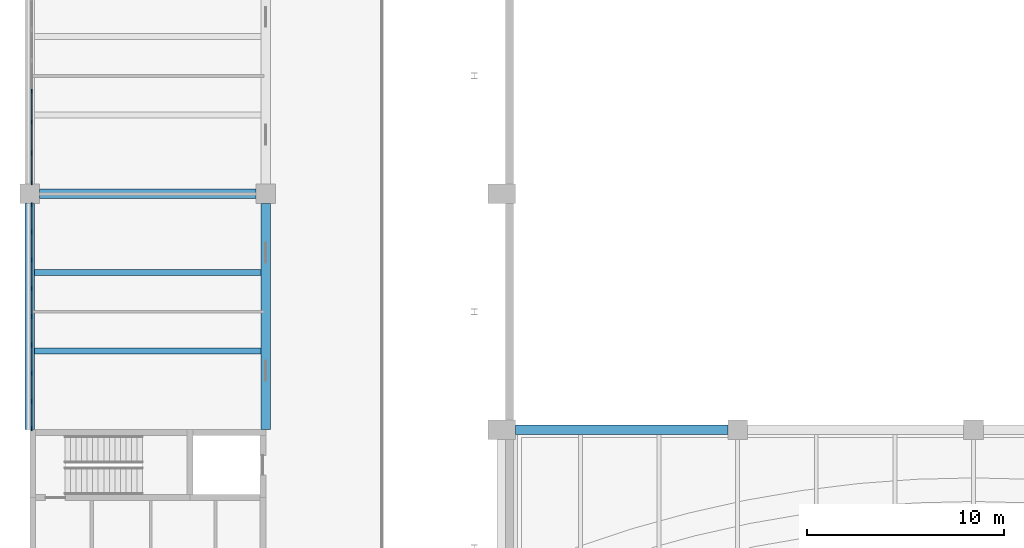
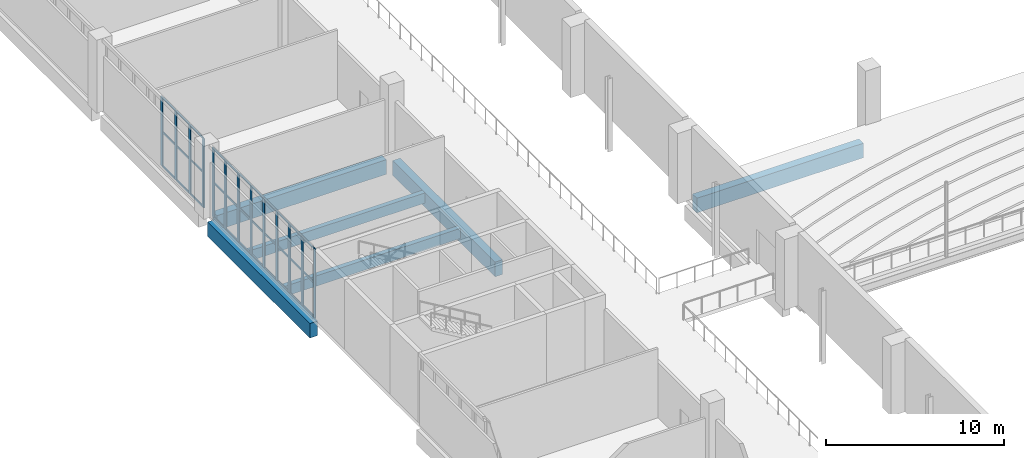
# One storey, part 30 of 69: 46 members, 6 beams, 2 elements without a shape of their own.
"""IFC4 building model written with IfcOpenShell, lengths in metres."""

from ifc_helpers import new_model, si_unit, direction, frame, origin, origin_2d, place, context, subcontext, project, spatial, rectangle, extrude, material, layer, layer_set, material_profile, profile_set, type_object, element, aggregate, save


model = new_model("IFC4")

# Units and contexts
model_context = context("Model", 3, precision=1e-05, world=origin(), true_north=direction((0.0, 1.0)))
body_context = subcontext(model_context, "Body", "Model", "MODEL_VIEW")
ifc_project = project(units=[si_unit("LENGTHUNIT", "METRE"), si_unit("AREAUNIT", "SQUARE_METRE"), si_unit("VOLUMEUNIT", "CUBIC_METRE"), si_unit("PLANEANGLEUNIT", "RADIAN"), si_unit("MASSUNIT", "GRAM", prefix="KILO")], contexts=[model_context])

# Site, building, storey
site_placement = place(None, origin())
site = spatial("IfcSite", under=ifc_project, at=site_placement, CompositionType="ELEMENT")
building_placement = place(site_placement, origin())
building = spatial("IfcBuilding", under=site, at=building_placement, Name="Lilac Gate Convention Centre", CompositionType="ELEMENT")
storey_placement = place(building_placement, frame((0.0, 0.0, 12.0)))
storey = spatial("IfcBuildingStorey", under=building, at=storey_placement, Name="L02", CompositionType="ELEMENT", Elevation=12.0)

# Curtain wall, members
ifc_material_1 = material(Name="Aluminium framed double glazing", Category="aluminium")
ifc_layer = layer(ifc_material_1, 0.199951171875)
ifc_layer_set = layer_set([ifc_layer], Name="Aluminium framed double glazing")
curtain_wall_type = type_object("IfcCurtainWallType", Name="Unitised curtain wall 1500", PredefinedType="NOTDEFINED", material=ifc_layer_set)
curtain_wall_1_placement = place(storey_placement, origin())
curtain_wall_1 = element("IfcCurtainWall", 1, at=curtain_wall_1_placement, inside=storey, type_object=curtain_wall_type, Name="Curtain wall PW L02 3", PredefinedType="NOTDEFINED")
ifc_material_2 = material(Name="Aluminium alloy 6063", Category="aluminium")
ifc_material_profile_1 = material_profile(ifc_material_2, rectangle(XDim=0.06005859375, YDim=0.219970703125, at=origin_2d()), Name="Curtain wall mullion 60 x 220")
ifc_profile_set_1 = profile_set([ifc_material_profile_1], Name="Aluminium alloy 6063")
member_type_1 = type_object("IfcMemberType", Name="Curtain wall mullion 60 x 220", PredefinedType="MULLION", material=ifc_profile_set_1)
member_1_placement = place(storey_placement, frame((6.10009765625, 179.21435546875, 0.0), z_axis=(0.0, 0.0, 1.0), x_axis=(1.0, 0.0, 0.0)))
member_1 = element("IfcMember", 2, at=member_1_placement, type_object=member_type_1, Name="CW mullion 5", PredefinedType="MULLION", context=body_context, shape_type="SweptSolid", body=[
    extrude(rectangle(XDim=0.06005859375, YDim=0.219970703125, at=origin_2d()), origin(), (0.0, 0.0, 1.0), 4.75),
])
member_2_placement = place(storey_placement, frame((6.10009765625, 177.642822265625, 0.0), z_axis=(0.0, 0.0, 1.0), x_axis=(1.0, 0.0, 0.0)))
member_2 = element("IfcMember", 3, at=member_2_placement, type_object=member_type_1, Name="CW mullion 6", PredefinedType="MULLION", context=body_context, shape_type="SweptSolid", body=[
    extrude(rectangle(XDim=0.06005859375, YDim=0.219970703125, at=origin_2d()), origin(), (0.0, 0.0, 1.0), 4.75),
])
member_3_placement = place(storey_placement, frame((6.10009765625, 176.071533203125, 0.0), z_axis=(0.0, 0.0, 1.0), x_axis=(1.0, 0.0, 0.0)))
member_3 = element("IfcMember", 4, at=member_3_placement, type_object=member_type_1, Name="CW mullion 7", PredefinedType="MULLION", context=body_context, shape_type="SweptSolid", body=[
    extrude(rectangle(XDim=0.06005859375, YDim=0.219970703125, at=origin_2d()), origin(), (0.0, 0.0, 1.0), 4.75),
])
member_4_placement = place(storey_placement, frame((6.10009765625, 174.56005859375, 0.0), z_axis=(0.0, 0.0, 1.0), x_axis=(1.0, 0.0, 0.0)))
member_4 = element("IfcMember", 5, at=member_4_placement, type_object=member_type_1, Name="CW mullion 8", PredefinedType="MULLION", context=body_context, shape_type="SweptSolid", body=[
    extrude(rectangle(XDim=0.06005859375, YDim=0.219970703125, at=origin_2d()), origin(), (0.0, 0.0, 1.0), 4.75),
])

curtain_wall_2_placement = place(storey_placement, origin())
curtain_wall_2 = element("IfcCurtainWall", 6, at=curtain_wall_2_placement, inside=storey, type_object=curtain_wall_type, Name="Curtain wall PW L02 4", PredefinedType="NOTDEFINED")
member_5_placement = place(storey_placement, frame((6.10009765625, 173.43994140625, 0.0), z_axis=(0.0, 0.0, 1.0), x_axis=(1.0, 0.0, 0.0)))
member_5 = element("IfcMember", 7, at=member_5_placement, type_object=member_type_1, Name="CW mullion 1", PredefinedType="MULLION", context=body_context, shape_type="SweptSolid", body=[
    extrude(rectangle(XDim=0.06005859375, YDim=0.219970703125, at=origin_2d()), origin(), (0.0, 0.0, 1.0), 4.75),
])
member_6_placement = place(storey_placement, frame((6.10009765625, 172.0625, 0.0), z_axis=(0.0, 0.0, 1.0), x_axis=(1.0, 0.0, 0.0)))
member_6 = element("IfcMember", 8, at=member_6_placement, type_object=member_type_1, Name="CW mullion 2", PredefinedType="MULLION", context=body_context, shape_type="SweptSolid", body=[
    extrude(rectangle(XDim=0.06005859375, YDim=0.219970703125, at=origin_2d()), origin(), (0.0, 0.0, 1.0), 4.75),
])
member_7_placement = place(storey_placement, frame((6.10009765625, 170.625, 0.0), z_axis=(0.0, 0.0, 1.0), x_axis=(1.0, 0.0, 0.0)))
member_7 = element("IfcMember", 9, at=member_7_placement, type_object=member_type_1, Name="CW mullion 3", PredefinedType="MULLION", context=body_context, shape_type="SweptSolid", body=[
    extrude(rectangle(XDim=0.06005859375, YDim=0.219970703125, at=origin_2d()), origin(), (0.0, 0.0, 1.0), 4.75),
])
member_8_placement = place(storey_placement, frame((6.10009765625, 169.1875, 0.0), z_axis=(0.0, 0.0, 1.0), x_axis=(1.0, 0.0, 0.0)))
member_8 = element("IfcMember", 10, at=member_8_placement, type_object=member_type_1, Name="CW mullion 4", PredefinedType="MULLION", context=body_context, shape_type="SweptSolid", body=[
    extrude(rectangle(XDim=0.06005859375, YDim=0.219970703125, at=origin_2d()), origin(), (0.0, 0.0, 1.0), 4.75),
])
member_9_placement = place(storey_placement, frame((6.10009765625, 167.75, 0.0), z_axis=(0.0, 0.0, 1.0), x_axis=(1.0, 0.0, 0.0)))
member_9 = element("IfcMember", 11, at=member_9_placement, type_object=member_type_1, Name="CW mullion 5", PredefinedType="MULLION", context=body_context, shape_type="SweptSolid", body=[
    extrude(rectangle(XDim=0.06005859375, YDim=0.219970703125, at=origin_2d()), origin(), (0.0, 0.0, 1.0), 4.75),
])
member_10_placement = place(storey_placement, frame((6.10009765625, 166.3125, 0.0), z_axis=(0.0, 0.0, 1.0), x_axis=(1.0, 0.0, 0.0)))
member_10 = element("IfcMember", 12, at=member_10_placement, type_object=member_type_1, Name="CW mullion 6", PredefinedType="MULLION", context=body_context, shape_type="SweptSolid", body=[
    extrude(rectangle(XDim=0.06005859375, YDim=0.219970703125, at=origin_2d()), origin(), (0.0, 0.0, 1.0), 4.75),
])
member_11_placement = place(storey_placement, frame((6.10009765625, 164.875, 0.0), z_axis=(0.0, 0.0, 1.0), x_axis=(1.0, 0.0, 0.0)))
member_11 = element("IfcMember", 13, at=member_11_placement, type_object=member_type_1, Name="CW mullion 7", PredefinedType="MULLION", context=body_context, shape_type="SweptSolid", body=[
    extrude(rectangle(XDim=0.06005859375, YDim=0.219970703125, at=origin_2d()), origin(), (0.0, 0.0, 1.0), 4.75),
])
member_12_placement = place(storey_placement, frame((6.10009765625, 163.4375, 0.0), z_axis=(0.0, 0.0, 1.0), x_axis=(1.0, 0.0, 0.0)))
member_12 = element("IfcMember", 14, at=member_12_placement, type_object=member_type_1, Name="CW mullion 8", PredefinedType="MULLION", context=body_context, shape_type="SweptSolid", body=[
    extrude(rectangle(XDim=0.06005859375, YDim=0.219970703125, at=origin_2d()), origin(), (0.0, 0.0, 1.0), 4.75),
])
member_13_placement = place(storey_placement, frame((6.10009765625, 162.06005859375, 0.0), z_axis=(0.0, 0.0, 1.0), x_axis=(1.0, 0.0, 0.0)))
member_13 = element("IfcMember", 15, at=member_13_placement, type_object=member_type_1, Name="CW mullion 9", PredefinedType="MULLION", context=body_context, shape_type="SweptSolid", body=[
    extrude(rectangle(XDim=0.06005859375, YDim=0.219970703125, at=origin_2d()), origin(), (0.0, 0.0, 1.0), 4.75),
])

# Member
ifc_material_profile_2 = material_profile(ifc_material_2, rectangle(XDim=0.06005859375, YDim=0.1201171875, at=origin_2d()), Name="Curtain wall transom 60 x 120")
ifc_profile_set_2 = profile_set([ifc_material_profile_2], Name="Aluminium alloy 6063")
member_type_2 = type_object("IfcMemberType", Name="Curtain wall transom 60 x 120", PredefinedType="USERDEFINED", material=ifc_profile_set_2)
member_14_placement = place(storey_placement, frame((6.10009765625, 179.184326171875, 0.030029296875), z_axis=(0.0, -1.0, 0.0), x_axis=(1.0, 0.0, 0.0)))
member_14 = element("IfcMember", 16, at=member_14_placement, type_object=member_type_2, Name="CW transom 5.1", ObjectType="TRANSOM", PredefinedType="USERDEFINED", context=body_context, shape_type="SweptSolid", body=[
    extrude(rectangle(XDim=0.06005859375, YDim=0.1201171875, at=origin_2d()), origin(), (0.0, 0.0, 1.0), 1.511474609375),
])

member_15_placement = place(storey_placement, frame((6.10009765625, 179.184326171875, 2.375), z_axis=(0.0, -1.0, 0.0), x_axis=(1.0, 0.0, 0.0)))
member_15 = element("IfcMember", 17, at=member_15_placement, type_object=member_type_2, Name="CW transom 5.2", ObjectType="TRANSOM", PredefinedType="USERDEFINED", context=body_context, shape_type="SweptSolid", body=[
    extrude(rectangle(XDim=0.06005859375, YDim=0.1201171875, at=origin_2d()), origin(), (0.0, 0.0, 1.0), 1.511474609375),
])

member_16_placement = place(storey_placement, frame((6.10009765625, 179.184326171875, 4.719970703125), z_axis=(0.0, -1.0, 0.0), x_axis=(1.0, 0.0, 0.0)))
member_16 = element("IfcMember", 18, at=member_16_placement, type_object=member_type_2, Name="CW transom 5.3", ObjectType="TRANSOM", PredefinedType="USERDEFINED", context=body_context, shape_type="SweptSolid", body=[
    extrude(rectangle(XDim=0.06005859375, YDim=0.1201171875, at=origin_2d()), origin(), (0.0, 0.0, 1.0), 1.511474609375),
])

member_17_placement = place(storey_placement, frame((6.10009765625, 177.61279296875, 0.030029296875), z_axis=(0.0, -1.0, 0.0), x_axis=(1.0, 0.0, 0.0)))
member_17 = element("IfcMember", 19, at=member_17_placement, type_object=member_type_2, Name="CW transom 6.1", ObjectType="TRANSOM", PredefinedType="USERDEFINED", context=body_context, shape_type="SweptSolid", body=[
    extrude(rectangle(XDim=0.06005859375, YDim=0.1201171875, at=origin_2d()), origin(), (0.0, 0.0, 1.0), 1.511474609375),
])

member_18_placement = place(storey_placement, frame((6.10009765625, 177.61279296875, 2.375), z_axis=(0.0, -1.0, 0.0), x_axis=(1.0, 0.0, 0.0)))
member_18 = element("IfcMember", 20, at=member_18_placement, type_object=member_type_2, Name="CW transom 6.2", ObjectType="TRANSOM", PredefinedType="USERDEFINED", context=body_context, shape_type="SweptSolid", body=[
    extrude(rectangle(XDim=0.06005859375, YDim=0.1201171875, at=origin_2d()), origin(), (0.0, 0.0, 1.0), 1.511474609375),
])

member_19_placement = place(storey_placement, frame((6.10009765625, 177.61279296875, 4.719970703125), z_axis=(0.0, -1.0, 0.0), x_axis=(1.0, 0.0, 0.0)))
member_19 = element("IfcMember", 21, at=member_19_placement, type_object=member_type_2, Name="CW transom 6.3", ObjectType="TRANSOM", PredefinedType="USERDEFINED", context=body_context, shape_type="SweptSolid", body=[
    extrude(rectangle(XDim=0.06005859375, YDim=0.1201171875, at=origin_2d()), origin(), (0.0, 0.0, 1.0), 1.511474609375),
])

member_20_placement = place(storey_placement, frame((6.10009765625, 176.04150390625, 0.030029296875), z_axis=(0.0, -1.0, 0.0), x_axis=(1.0, 0.0, 0.0)))
member_20 = element("IfcMember", 22, at=member_20_placement, type_object=member_type_2, Name="CW transom 7.1", ObjectType="TRANSOM", PredefinedType="USERDEFINED", context=body_context, shape_type="SweptSolid", body=[
    extrude(rectangle(XDim=0.06005859375, YDim=0.1201171875, at=origin_2d()), origin(), (0.0, 0.0, 1.0), 1.4814453125),
])

member_21_placement = place(storey_placement, frame((6.10009765625, 176.04150390625, 2.375), z_axis=(0.0, -1.0, 0.0), x_axis=(1.0, 0.0, 0.0)))
member_21 = element("IfcMember", 23, at=member_21_placement, type_object=member_type_2, Name="CW transom 7.2", ObjectType="TRANSOM", PredefinedType="USERDEFINED", context=body_context, shape_type="SweptSolid", body=[
    extrude(rectangle(XDim=0.06005859375, YDim=0.1201171875, at=origin_2d()), origin(), (0.0, 0.0, 1.0), 1.4814453125),
])

member_22_placement = place(storey_placement, frame((6.10009765625, 176.04150390625, 4.719970703125), z_axis=(0.0, -1.0, 0.0), x_axis=(1.0, 0.0, 0.0)))
member_22 = element("IfcMember", 24, at=member_22_placement, type_object=member_type_2, Name="CW transom 7.3", ObjectType="TRANSOM", PredefinedType="USERDEFINED", context=body_context, shape_type="SweptSolid", body=[
    extrude(rectangle(XDim=0.06005859375, YDim=0.1201171875, at=origin_2d()), origin(), (0.0, 0.0, 1.0), 1.4814453125),
])

aggregate(curtain_wall_1, [member_1, member_2, member_3, member_4, member_14, member_15, member_16, member_17, member_18, member_19, member_20, member_21, member_22])

member_23_placement = place(storey_placement, frame((6.10009765625, 173.43994140625, 0.030029296875), z_axis=(0.0, -1.0, 0.0), x_axis=(1.0, 0.0, 0.0)))
member_23 = element("IfcMember", 25, at=member_23_placement, type_object=member_type_2, Name="CW transom 1.1", ObjectType="TRANSOM", PredefinedType="USERDEFINED", context=body_context, shape_type="SweptSolid", body=[
    extrude(rectangle(XDim=0.06005859375, YDim=0.1201171875, at=origin_2d()), origin(), (0.0, 0.0, 1.0), 1.347412109375),
])

member_24_placement = place(storey_placement, frame((6.10009765625, 173.43994140625, 2.375), z_axis=(0.0, -1.0, 0.0), x_axis=(1.0, 0.0, 0.0)))
member_24 = element("IfcMember", 26, at=member_24_placement, type_object=member_type_2, Name="CW transom 1.2", ObjectType="TRANSOM", PredefinedType="USERDEFINED", context=body_context, shape_type="SweptSolid", body=[
    extrude(rectangle(XDim=0.06005859375, YDim=0.1201171875, at=origin_2d()), origin(), (0.0, 0.0, 1.0), 1.347412109375),
])

member_25_placement = place(storey_placement, frame((6.10009765625, 173.43994140625, 4.719970703125), z_axis=(0.0, -1.0, 0.0), x_axis=(1.0, 0.0, 0.0)))
member_25 = element("IfcMember", 27, at=member_25_placement, type_object=member_type_2, Name="CW transom 1.3", ObjectType="TRANSOM", PredefinedType="USERDEFINED", context=body_context, shape_type="SweptSolid", body=[
    extrude(rectangle(XDim=0.06005859375, YDim=0.1201171875, at=origin_2d()), origin(), (0.0, 0.0, 1.0), 1.347412109375),
])

member_26_placement = place(storey_placement, frame((6.10009765625, 172.032470703125, 0.030029296875), z_axis=(0.0, -1.0, 0.0), x_axis=(1.0, 0.0, 0.0)))
member_26 = element("IfcMember", 28, at=member_26_placement, type_object=member_type_2, Name="CW transom 2.1", ObjectType="TRANSOM", PredefinedType="USERDEFINED", context=body_context, shape_type="SweptSolid", body=[
    extrude(rectangle(XDim=0.06005859375, YDim=0.1201171875, at=origin_2d()), origin(), (0.0, 0.0, 1.0), 1.37744140625),
])

member_27_placement = place(storey_placement, frame((6.10009765625, 172.032470703125, 2.375), z_axis=(0.0, -1.0, 0.0), x_axis=(1.0, 0.0, 0.0)))
member_27 = element("IfcMember", 29, at=member_27_placement, type_object=member_type_2, Name="CW transom 2.2", ObjectType="TRANSOM", PredefinedType="USERDEFINED", context=body_context, shape_type="SweptSolid", body=[
    extrude(rectangle(XDim=0.06005859375, YDim=0.1201171875, at=origin_2d()), origin(), (0.0, 0.0, 1.0), 1.37744140625),
])

member_28_placement = place(storey_placement, frame((6.10009765625, 172.032470703125, 4.719970703125), z_axis=(0.0, -1.0, 0.0), x_axis=(1.0, 0.0, 0.0)))
member_28 = element("IfcMember", 30, at=member_28_placement, type_object=member_type_2, Name="CW transom 2.3", ObjectType="TRANSOM", PredefinedType="USERDEFINED", context=body_context, shape_type="SweptSolid", body=[
    extrude(rectangle(XDim=0.06005859375, YDim=0.1201171875, at=origin_2d()), origin(), (0.0, 0.0, 1.0), 1.37744140625),
])

member_29_placement = place(storey_placement, frame((6.10009765625, 170.594970703125, 0.030029296875), z_axis=(0.0, -1.0, 0.0), x_axis=(1.0, 0.0, 0.0)))
member_29 = element("IfcMember", 31, at=member_29_placement, type_object=member_type_2, Name="CW transom 3.1", ObjectType="TRANSOM", PredefinedType="USERDEFINED", context=body_context, shape_type="SweptSolid", body=[
    extrude(rectangle(XDim=0.06005859375, YDim=0.1201171875, at=origin_2d()), origin(), (0.0, 0.0, 1.0), 1.37744140625),
])

member_30_placement = place(storey_placement, frame((6.10009765625, 170.594970703125, 2.375), z_axis=(0.0, -1.0, 0.0), x_axis=(1.0, 0.0, 0.0)))
member_30 = element("IfcMember", 32, at=member_30_placement, type_object=member_type_2, Name="CW transom 3.2", ObjectType="TRANSOM", PredefinedType="USERDEFINED", context=body_context, shape_type="SweptSolid", body=[
    extrude(rectangle(XDim=0.06005859375, YDim=0.1201171875, at=origin_2d()), origin(), (0.0, 0.0, 1.0), 1.37744140625),
])

member_31_placement = place(storey_placement, frame((6.10009765625, 170.594970703125, 4.719970703125), z_axis=(0.0, -1.0, 0.0), x_axis=(1.0, 0.0, 0.0)))
member_31 = element("IfcMember", 33, at=member_31_placement, type_object=member_type_2, Name="CW transom 3.3", ObjectType="TRANSOM", PredefinedType="USERDEFINED", context=body_context, shape_type="SweptSolid", body=[
    extrude(rectangle(XDim=0.06005859375, YDim=0.1201171875, at=origin_2d()), origin(), (0.0, 0.0, 1.0), 1.37744140625),
])

member_32_placement = place(storey_placement, frame((6.10009765625, 169.157470703125, 0.030029296875), z_axis=(0.0, -1.0, 0.0), x_axis=(1.0, 0.0, 0.0)))
member_32 = element("IfcMember", 34, at=member_32_placement, type_object=member_type_2, Name="CW transom 4.1", ObjectType="TRANSOM", PredefinedType="USERDEFINED", context=body_context, shape_type="SweptSolid", body=[
    extrude(rectangle(XDim=0.06005859375, YDim=0.1201171875, at=origin_2d()), origin(), (0.0, 0.0, 1.0), 1.37744140625),
])

member_33_placement = place(storey_placement, frame((6.10009765625, 169.157470703125, 2.375), z_axis=(0.0, -1.0, 0.0), x_axis=(1.0, 0.0, 0.0)))
member_33 = element("IfcMember", 35, at=member_33_placement, type_object=member_type_2, Name="CW transom 4.2", ObjectType="TRANSOM", PredefinedType="USERDEFINED", context=body_context, shape_type="SweptSolid", body=[
    extrude(rectangle(XDim=0.06005859375, YDim=0.1201171875, at=origin_2d()), origin(), (0.0, 0.0, 1.0), 1.37744140625),
])

member_34_placement = place(storey_placement, frame((6.10009765625, 169.157470703125, 4.719970703125), z_axis=(0.0, -1.0, 0.0), x_axis=(1.0, 0.0, 0.0)))
member_34 = element("IfcMember", 36, at=member_34_placement, type_object=member_type_2, Name="CW transom 4.3", ObjectType="TRANSOM", PredefinedType="USERDEFINED", context=body_context, shape_type="SweptSolid", body=[
    extrude(rectangle(XDim=0.06005859375, YDim=0.1201171875, at=origin_2d()), origin(), (0.0, 0.0, 1.0), 1.37744140625),
])

member_35_placement = place(storey_placement, frame((6.10009765625, 167.719970703125, 0.030029296875), z_axis=(0.0, -1.0, 0.0), x_axis=(1.0, 0.0, 0.0)))
member_35 = element("IfcMember", 37, at=member_35_placement, type_object=member_type_2, Name="CW transom 5.1", ObjectType="TRANSOM", PredefinedType="USERDEFINED", context=body_context, shape_type="SweptSolid", body=[
    extrude(rectangle(XDim=0.06005859375, YDim=0.1201171875, at=origin_2d()), origin(), (0.0, 0.0, 1.0), 1.37744140625),
])

member_36_placement = place(storey_placement, frame((6.10009765625, 167.719970703125, 2.375), z_axis=(0.0, -1.0, 0.0), x_axis=(1.0, 0.0, 0.0)))
member_36 = element("IfcMember", 38, at=member_36_placement, type_object=member_type_2, Name="CW transom 5.2", ObjectType="TRANSOM", PredefinedType="USERDEFINED", context=body_context, shape_type="SweptSolid", body=[
    extrude(rectangle(XDim=0.06005859375, YDim=0.1201171875, at=origin_2d()), origin(), (0.0, 0.0, 1.0), 1.37744140625),
])

member_37_placement = place(storey_placement, frame((6.10009765625, 167.719970703125, 4.719970703125), z_axis=(0.0, -1.0, 0.0), x_axis=(1.0, 0.0, 0.0)))
member_37 = element("IfcMember", 39, at=member_37_placement, type_object=member_type_2, Name="CW transom 5.3", ObjectType="TRANSOM", PredefinedType="USERDEFINED", context=body_context, shape_type="SweptSolid", body=[
    extrude(rectangle(XDim=0.06005859375, YDim=0.1201171875, at=origin_2d()), origin(), (0.0, 0.0, 1.0), 1.37744140625),
])

member_38_placement = place(storey_placement, frame((6.10009765625, 166.282470703125, 0.030029296875), z_axis=(0.0, -1.0, 0.0), x_axis=(1.0, 0.0, 0.0)))
member_38 = element("IfcMember", 40, at=member_38_placement, type_object=member_type_2, Name="CW transom 6.1", ObjectType="TRANSOM", PredefinedType="USERDEFINED", context=body_context, shape_type="SweptSolid", body=[
    extrude(rectangle(XDim=0.06005859375, YDim=0.1201171875, at=origin_2d()), origin(), (0.0, 0.0, 1.0), 1.37744140625),
])

member_39_placement = place(storey_placement, frame((6.10009765625, 166.282470703125, 2.375), z_axis=(0.0, -1.0, 0.0), x_axis=(1.0, 0.0, 0.0)))
member_39 = element("IfcMember", 41, at=member_39_placement, type_object=member_type_2, Name="CW transom 6.2", ObjectType="TRANSOM", PredefinedType="USERDEFINED", context=body_context, shape_type="SweptSolid", body=[
    extrude(rectangle(XDim=0.06005859375, YDim=0.1201171875, at=origin_2d()), origin(), (0.0, 0.0, 1.0), 1.37744140625),
])

member_40_placement = place(storey_placement, frame((6.10009765625, 166.282470703125, 4.719970703125), z_axis=(0.0, -1.0, 0.0), x_axis=(1.0, 0.0, 0.0)))
member_40 = element("IfcMember", 42, at=member_40_placement, type_object=member_type_2, Name="CW transom 6.3", ObjectType="TRANSOM", PredefinedType="USERDEFINED", context=body_context, shape_type="SweptSolid", body=[
    extrude(rectangle(XDim=0.06005859375, YDim=0.1201171875, at=origin_2d()), origin(), (0.0, 0.0, 1.0), 1.37744140625),
])

member_41_placement = place(storey_placement, frame((6.10009765625, 164.844970703125, 0.030029296875), z_axis=(0.0, -1.0, 0.0), x_axis=(1.0, 0.0, 0.0)))
member_41 = element("IfcMember", 43, at=member_41_placement, type_object=member_type_2, Name="CW transom 7.1", ObjectType="TRANSOM", PredefinedType="USERDEFINED", context=body_context, shape_type="SweptSolid", body=[
    extrude(rectangle(XDim=0.06005859375, YDim=0.1201171875, at=origin_2d()), origin(), (0.0, 0.0, 1.0), 1.37744140625),
])

member_42_placement = place(storey_placement, frame((6.10009765625, 164.844970703125, 2.375), z_axis=(0.0, -1.0, 0.0), x_axis=(1.0, 0.0, 0.0)))
member_42 = element("IfcMember", 44, at=member_42_placement, type_object=member_type_2, Name="CW transom 7.2", ObjectType="TRANSOM", PredefinedType="USERDEFINED", context=body_context, shape_type="SweptSolid", body=[
    extrude(rectangle(XDim=0.06005859375, YDim=0.1201171875, at=origin_2d()), origin(), (0.0, 0.0, 1.0), 1.37744140625),
])

member_43_placement = place(storey_placement, frame((6.10009765625, 164.844970703125, 4.719970703125), z_axis=(0.0, -1.0, 0.0), x_axis=(1.0, 0.0, 0.0)))
member_43 = element("IfcMember", 45, at=member_43_placement, type_object=member_type_2, Name="CW transom 7.3", ObjectType="TRANSOM", PredefinedType="USERDEFINED", context=body_context, shape_type="SweptSolid", body=[
    extrude(rectangle(XDim=0.06005859375, YDim=0.1201171875, at=origin_2d()), origin(), (0.0, 0.0, 1.0), 1.37744140625),
])

member_44_placement = place(storey_placement, frame((6.10009765625, 163.407470703125, 0.030029296875), z_axis=(0.0, -1.0, 0.0), x_axis=(1.0, 0.0, 0.0)))
member_44 = element("IfcMember", 46, at=member_44_placement, type_object=member_type_2, Name="CW transom 8.1", ObjectType="TRANSOM", PredefinedType="USERDEFINED", context=body_context, shape_type="SweptSolid", body=[
    extrude(rectangle(XDim=0.06005859375, YDim=0.1201171875, at=origin_2d()), origin(), (0.0, 0.0, 1.0), 1.347412109375),
])

member_45_placement = place(storey_placement, frame((6.10009765625, 163.407470703125, 2.375), z_axis=(0.0, -1.0, 0.0), x_axis=(1.0, 0.0, 0.0)))
member_45 = element("IfcMember", 47, at=member_45_placement, type_object=member_type_2, Name="CW transom 8.2", ObjectType="TRANSOM", PredefinedType="USERDEFINED", context=body_context, shape_type="SweptSolid", body=[
    extrude(rectangle(XDim=0.06005859375, YDim=0.1201171875, at=origin_2d()), origin(), (0.0, 0.0, 1.0), 1.347412109375),
])

member_46_placement = place(storey_placement, frame((6.10009765625, 163.407470703125, 4.719970703125), z_axis=(0.0, -1.0, 0.0), x_axis=(1.0, 0.0, 0.0)))
member_46 = element("IfcMember", 48, at=member_46_placement, type_object=member_type_2, Name="CW transom 8.3", ObjectType="TRANSOM", PredefinedType="USERDEFINED", context=body_context, shape_type="SweptSolid", body=[
    extrude(rectangle(XDim=0.06005859375, YDim=0.1201171875, at=origin_2d()), origin(), (0.0, 0.0, 1.0), 1.347412109375),
])

aggregate(curtain_wall_2, [member_5, member_6, member_7, member_8, member_9, member_10, member_11, member_12, member_13, member_23, member_24, member_25, member_26, member_27, member_28, member_29, member_30, member_31, member_32, member_33, member_34, member_35, member_36, member_37, member_38, member_39, member_40, member_41, member_42, member_43, member_44, member_45, member_46])

# Beams
ifc_material_3 = material(Name="Concrete C40", Category="concrete")
ifc_material_profile_3 = material_profile(ifc_material_3, rectangle(XDim=0.5, YDim=1.0, at=origin_2d()), Name="RC 500x1000")
ifc_profile_set_3 = profile_set([ifc_material_profile_3], Name="Concrete C40")
beam_type_1 = type_object("IfcBeamType", Name="Primary beam 500x1000 C40", PredefinedType="BEAM", material=ifc_profile_set_3)
beam_1_placement = place(storey_placement, frame((30.699951171875, 162.0, -0.75), z_axis=(1.0, 0.0, 0.0), x_axis=(0.0, 1.0, 0.0)))
element("IfcBeam", 49, at=beam_1_placement, inside=storey, type_object=beam_type_1, Name="RB1 L02 3/M-4/M", PredefinedType="BEAM", context=body_context, shape_type="SweptSolid", body=[
    extrude(rectangle(XDim=0.5, YDim=1.0, at=origin_2d()), origin(), (0.0, 0.0, 1.0), 10.800048828125),
])
beam_2_placement = place(storey_placement, frame((6.5, 174.0, -0.75), z_axis=(1.0, 0.0, 0.0), x_axis=(0.0, 1.0, 0.0)))
element("IfcBeam", 50, at=beam_2_placement, inside=storey, type_object=beam_type_1, Name="RB1 L02 1/N-2/N", PredefinedType="BEAM", context=body_context, shape_type="SweptSolid", body=[
    extrude(rectangle(XDim=0.5, YDim=1.0, at=origin_2d()), origin(), (0.0, 0.0, 1.0), 11.0),
])
for number, where, z_axis, x_axis, name in (
    (51, (6.0, 162.0, -0.75), (0.0, 1.0, 0.0), (-1.0, 0.0, 0.0), "RB1 L02 1/M-1/N"),
    (52, (18.0, 162.0, -0.75), (0.0, 1.0, 0.0), (-1.0, 0.0, 0.0), "RB1 L02 2/M-2/N"),
):
    element("IfcBeam", number, at=place(storey_placement, frame(where, z_axis=z_axis, x_axis=x_axis)), inside=storey, type_object=beam_type_1, Name=name, PredefinedType="BEAM", context=body_context, shape_type="SweptSolid", body=[
        extrude(rectangle(XDim=0.5, YDim=1.0, at=origin_2d()), origin(), (0.0, 0.0, 1.0), 11.5),
    ])
ifc_material_profile_4 = material_profile(ifc_material_3, rectangle(XDim=0.300048828125, YDim=0.699951171875, at=origin_2d()), Name="RC 300x700")
ifc_profile_set_4 = profile_set([ifc_material_profile_4], Name="Concrete C40")
beam_type_2 = type_object("IfcBeamType", Name="Secondary beam 300x700 C40", PredefinedType="BEAM", material=ifc_profile_set_4)
for number, where, z_axis, x_axis, name in (
    (53, (6.25, 166.0, -0.60009765625), (1.0, 0.0, 0.0), (0.0, 1.0, 0.0), "RB2 L02 bay 1/M"),
    (54, (6.25, 170.0, -0.60009765625), (1.0, 0.0, 0.0), (0.0, 1.0, 0.0), "RB2 L02 bay 1/M"),
):
    element("IfcBeam", number, at=place(storey_placement, frame(where, z_axis=z_axis, x_axis=x_axis)), inside=storey, type_object=beam_type_2, Name=name, PredefinedType="BEAM", context=body_context, shape_type="SweptSolid", body=[
        extrude(rectangle(XDim=0.300048828125, YDim=0.699951171875, at=origin_2d()), origin(), (0.0, 0.0, 1.0), 11.5),
    ])

save(model, "model.ifc")
